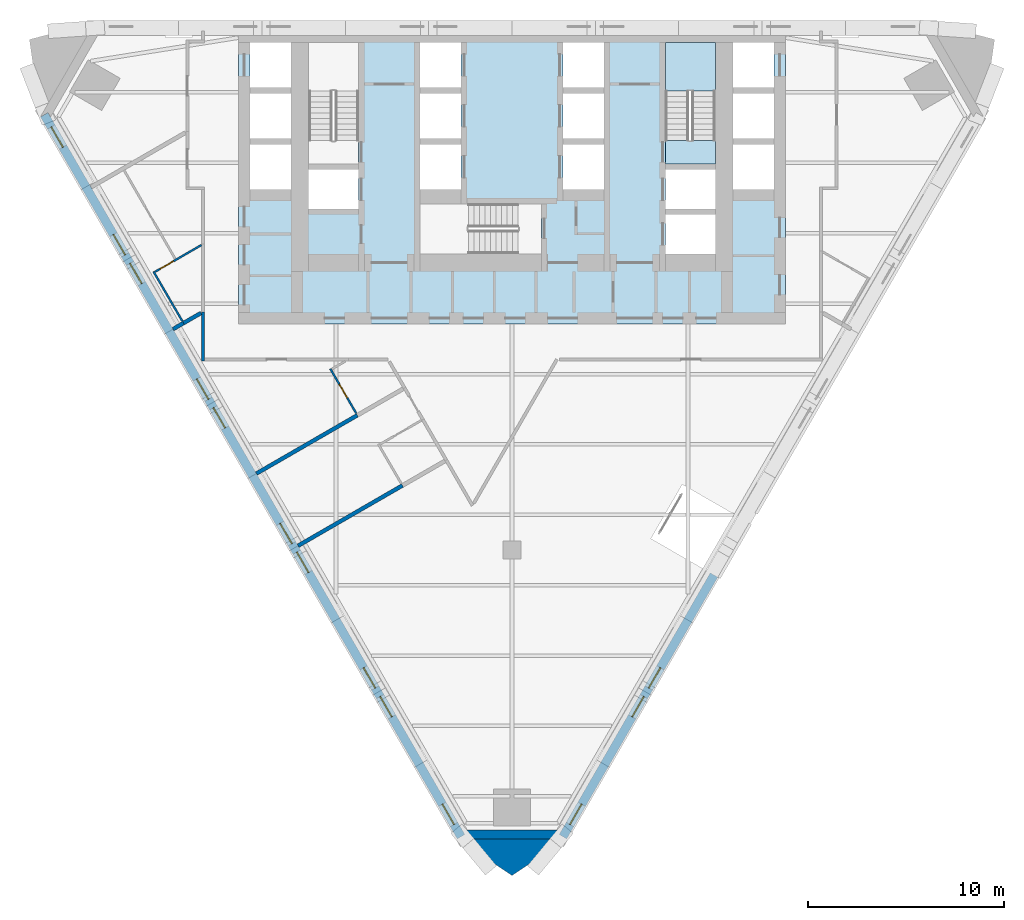
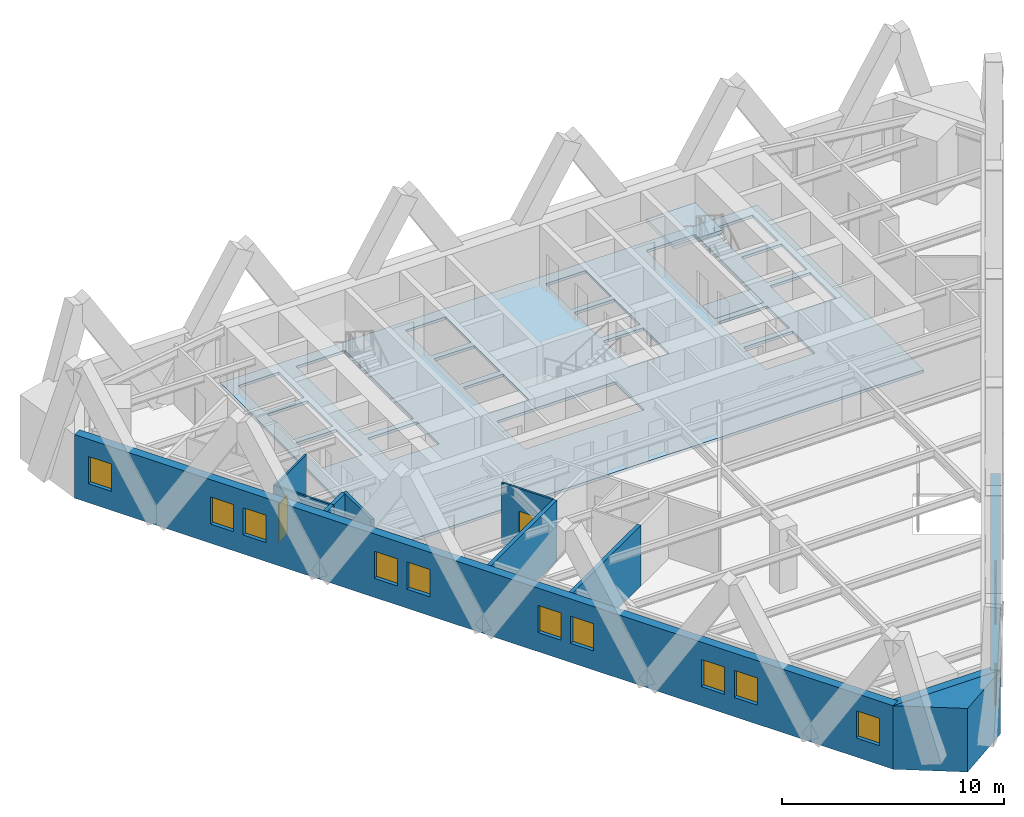
# One storey, part 4 of 10: 13 windows, 12 walls, 3 slabs, 2 doors, 15 openings, 1 element without a shape of its own.
"""IFC4 building model written with IfcOpenShell, lengths in metres."""

from ifc_helpers import new_model, si_unit, direction, frame, frame_2d, origin, place, context, subcontext, project, spatial, polyline, rectangle, outline, extrude, material, layer, layer_set, type_object, element, fill, aggregate, save


model = new_model("IFC4")

# Units and contexts
model_context = context("Model", 3, precision=1e-05, world=origin(), true_north=direction((0.0, 1.0)))
body_context = subcontext(model_context, "Body", "Model", "MODEL_VIEW")
ifc_project = project(units=[si_unit("LENGTHUNIT", "METRE"), si_unit("AREAUNIT", "SQUARE_METRE"), si_unit("VOLUMEUNIT", "CUBIC_METRE"), si_unit("PLANEANGLEUNIT", "RADIAN"), si_unit("MASSUNIT", "GRAM", prefix="KILO")], contexts=[model_context])

# Site, building, storey
site_placement = place(None, origin())
site = spatial("IfcSite", under=ifc_project, at=site_placement, CompositionType="ELEMENT")
building_placement = place(site_placement, origin())
building = spatial("IfcBuilding", under=site, at=building_placement, Name="Aloe Facet Convention Tower", CompositionType="ELEMENT")
storey_placement = place(building_placement, frame((0.0, 0.0, 116.800048828125)))
storey = spatial("IfcBuildingStorey", under=building, at=storey_placement, Name="L29", CompositionType="ELEMENT", Elevation=116.800048828125)

# Slabs
ifc_material_1 = material(Name="Concrete C70/85", Category="concrete")
ifc_layer_1 = layer(ifc_material_1, 0.14990234375)
ifc_layer_set_1 = layer_set([ifc_layer_1], Name="CR-S-FLOOR150-C7085")
slab_type_1 = type_object("IfcSlabType", Name="CR-S-FLOOR150-C7085", PredefinedType="FLOOR", material=ifc_layer_set_1)
slab_1_placement = place(storey_placement, frame((0.0, 0.0, -0.150146484375)))
element("IfcSlab", 1, at=slab_1_placement, inside=storey, type_object=slab_type_1, Name="Core floor L29", PredefinedType="FLOOR", context=body_context, shape_type="SweptSolid", body=[
    extrude(outline(polyline([(69.300048828125, 134.550048828125), (71.85009765625, 134.550048828125), (72.75, 134.550048828125), (74.699951171875, 134.550048828125), (75.60009765625, 134.550048828125), (77.10009765625, 134.550048828125), (78.0, 134.550048828125), (82.0, 134.550048828125), (82.89990234375, 134.550048828125), (84.39990234375, 134.550048828125), (85.300048828125, 134.550048828125), (87.25, 134.550048828125), (88.14990234375, 134.550048828125), (90.699951171875, 134.550048828125), (91.0, 134.550048828125), (94.0, 134.550048828125), (94.0, 131.949951171875), (94.0, 131.050048828125), (94.0, 129.35009765625), (94.0, 128.449951171875), (94.0, 126.449951171875), (94.0, 125.85009765625), (94.0, 123.57373046875), (94.0, 122.523681640625), (94.0, 119.550048828125), (91.300048828125, 119.550048828125), (90.699951171875, 119.550048828125), (89.60009765625, 119.550048828125), (88.550048828125, 119.550048828125), (87.89990234375, 119.550048828125), (86.85009765625, 119.550048828125), (85.699951171875, 119.550048828125), (84.64990234375, 119.550048828125), (83.699951171875, 119.550048828125), (82.64990234375, 119.550048828125), (81.75, 119.550048828125), (80.699951171875, 119.550048828125), (79.61669921875, 119.550048828125), (78.566650390625, 119.550048828125), (77.4833984375, 119.550048828125), (76.433349609375, 119.550048828125), (75.35009765625, 119.550048828125), (74.300048828125, 119.550048828125), (73.14990234375, 119.550048828125), (72.10009765625, 119.550048828125), (69.300048828125, 119.550048828125), (68.699951171875, 119.550048828125), (66.0, 119.550048828125), (66.0, 121.5), (66.0, 122.550048828125), (66.0, 123.639404296875), (66.0, 124.689453125), (66.0, 125.85009765625), (66.0, 126.449951171875), (66.0, 128.449951171875), (66.0, 129.35009765625), (66.0, 131.050048828125), (66.0, 131.949951171875), (66.0, 134.550048828125), (69.0, 134.550048828125), (69.300048828125, 134.550048828125)]), holes=[polyline([(75.300048828125, 123.14990234375), (80.298828125, 123.14990234375), (81.5, 123.14990234375), (81.5, 125.699951171875), (80.298828125, 125.699951171875), (75.300048828125, 125.699951171875), (75.300048828125, 123.14990234375)]), polyline([(69.60009765625, 125.449951171875), (72.14990234375, 125.449951171875), (72.14990234375, 127.449951171875), (69.60009765625, 127.449951171875), (69.60009765625, 125.449951171875)]), polyline([(66.60009765625, 126.449951171875), (68.699951171875, 126.449951171875), (68.699951171875, 128.75), (66.60009765625, 128.75), (66.60009765625, 126.449951171875)]), polyline([(75.300048828125, 126.449951171875), (77.39990234375, 126.449951171875), (77.39990234375, 128.75), (75.300048828125, 128.75), (75.300048828125, 126.449951171875)]), polyline([(66.60009765625, 129.050048828125), (68.699951171875, 129.050048828125), (68.699951171875, 131.35009765625), (66.60009765625, 131.35009765625), (66.60009765625, 129.050048828125)]), polyline([(75.300048828125, 129.050048828125), (77.39990234375, 129.050048828125), (77.39990234375, 131.35009765625), (75.300048828125, 131.35009765625), (75.300048828125, 129.050048828125)]), polyline([(69.60009765625, 133.949951171875), (69.60009765625, 128.951171875), (69.60009765625, 127.75), (72.14990234375, 127.75), (72.14990234375, 128.951171875), (72.14990234375, 133.949951171875), (69.60009765625, 133.949951171875)]), polyline([(66.60009765625, 133.949951171875), (66.60009765625, 131.64990234375), (68.699951171875, 131.64990234375), (68.699951171875, 133.949951171875), (66.60009765625, 133.949951171875)]), polyline([(75.300048828125, 133.949951171875), (75.300048828125, 131.64990234375), (77.39990234375, 131.64990234375), (77.39990234375, 133.949951171875), (75.300048828125, 133.949951171875)]), polyline([(87.85009765625, 123.14990234375), (90.39990234375, 123.14990234375), (90.39990234375, 125.14990234375), (87.85009765625, 125.14990234375), (87.85009765625, 123.14990234375)]), polyline([(87.85009765625, 125.449951171875), (90.39990234375, 125.449951171875), (90.39990234375, 127.449951171875), (87.85009765625, 127.449951171875), (87.85009765625, 125.449951171875)]), polyline([(82.60009765625, 126.449951171875), (84.699951171875, 126.449951171875), (84.699951171875, 128.75), (82.60009765625, 128.75), (82.60009765625, 126.449951171875)]), polyline([(91.300048828125, 126.449951171875), (93.39990234375, 126.449951171875), (93.39990234375, 128.75), (91.300048828125, 128.75), (91.300048828125, 126.449951171875)]), polyline([(82.60009765625, 129.050048828125), (84.699951171875, 129.050048828125), (84.699951171875, 131.35009765625), (82.60009765625, 131.35009765625), (82.60009765625, 129.050048828125)]), polyline([(91.300048828125, 129.050048828125), (93.39990234375, 129.050048828125), (93.39990234375, 131.35009765625), (91.300048828125, 131.35009765625), (91.300048828125, 129.050048828125)]), polyline([(87.85009765625, 133.949951171875), (87.85009765625, 128.951171875), (87.85009765625, 127.75), (90.39990234375, 127.75), (90.39990234375, 128.951171875), (90.39990234375, 133.949951171875), (87.85009765625, 133.949951171875)]), polyline([(82.60009765625, 133.949951171875), (82.60009765625, 131.64990234375), (84.699951171875, 131.64990234375), (84.699951171875, 133.949951171875), (82.60009765625, 133.949951171875)]), polyline([(91.300048828125, 133.949951171875), (91.300048828125, 131.64990234375), (93.39990234375, 131.64990234375), (93.39990234375, 133.949951171875), (91.300048828125, 133.949951171875)])]), origin(), (0.0, 0.0, 1.0), 0.150146484375),
])
ifc_material_2 = material(Name="Concrete C70/85", Category="concrete")
ifc_layer_2 = layer(ifc_material_2, 0.300048828125)
ifc_layer_set_2 = layer_set([ifc_layer_2], Name="CR-S-FLOOR300-C7085")
slab_type_2 = type_object("IfcSlabType", Name="CR-S-FLOOR300-C7085", PredefinedType="FLOOR", material=ifc_layer_set_2)
slab_2_placement = place(storey_placement, frame((0.0, 0.0, -0.300048828125)))
element("IfcSlab", 2, at=slab_2_placement, inside=storey, type_object=slab_type_2, Name="Stair landing floor L29", PredefinedType="FLOOR", context=body_context, shape_type="SweptSolid", body=[
    extrude(outline(polyline([(90.39990234375, 127.75), (90.39990234375, 128.951171875), (87.85009765625, 128.951171875), (87.85009765625, 127.75), (90.39990234375, 127.75)])), origin(), (0.0, 0.0, 1.0), 0.300048828125),
])

# Stair, slab
ifc_material_3 = material(Name="Concrete C50/60", Category="concrete")
stair_type = type_object("IfcStairType", Name="CR-ST-20R", PredefinedType="HALF_TURN_STAIR", material=ifc_material_3)
stair_placement = place(storey_placement, origin())
stair = element("IfcStair", 3, at=stair_placement, inside=storey, type_object=stair_type, Name="L29 Protected exit stair ST2", PredefinedType="HALF_TURN_STAIR")
ifc_material_4 = material(Name="Concrete C50/60", Category="concrete")
ifc_layer_3 = layer(ifc_material_4, 0.199951171875)
ifc_layer_set_3 = layer_set([ifc_layer_3], Name="CR-SL-LANDING")
slab_type_3 = type_object("IfcSlabType", Name="CR-SL-LANDING", PredefinedType="LANDING", material=ifc_layer_set_3)
slab_3_placement = place(storey_placement, frame((0.0, 0.0, 1.550048828125)))
slab_3 = element("IfcSlab", 4, at=slab_3_placement, type_object=slab_type_3, Name="ST2 landing 1", PredefinedType="LANDING", context=body_context, shape_type="SweptSolid", body=[
    extrude(outline(polyline([(90.39990234375, 131.469970703125), (90.39990234375, 133.949951171875), (87.85009765625, 133.949951171875), (87.85009765625, 131.469970703125), (90.39990234375, 131.469970703125)])), origin(), (0.0, 0.0, 1.0), 0.199951171875),
])
aggregate(stair, [slab_3])

# Walls
ifc_material_5 = material(Name="Precast concrete C40/50", Category="concrete")
ifc_layer_4 = layer(ifc_material_5, 0.449951171875)
ifc_layer_set_4 = layer_set([ifc_layer_4], Name="EV-WALL-PIER")
wall_type_1 = type_object("IfcWallType", Name="EV-WALL-PIER", PredefinedType="SOLIDWALL", material=ifc_layer_set_4)
wall_1_placement = place(storey_placement, frame((0.0, 0.0, -0.150146484375)))
element("IfcWall", 5, at=wall_1_placement, inside=storey, type_object=wall_type_1, Name="EP-L29-B", PredefinedType="SOLIDWALL", context=body_context, shape_type="SweptSolid", body=[
    extrude(outline(polyline([(77.199951171875, 93.22021484375), (77.589599609375, 93.4453125), (77.459716796875, 93.670166015625), (82.540283203125, 93.670166015625), (82.410400390625, 93.4453125), (82.800048828125, 93.22021484375), (77.199951171875, 93.22021484375)])), origin(), (0.0, 0.0, 1.0), 3.5),
])
ifc_material_6 = material(Name="Precast concrete C40/50", Category="concrete")
ifc_layer_5 = layer(ifc_material_6, 3.947998046875)
ifc_layer_set_5 = layer_set([ifc_layer_5], Name="EV-WALL-SPINE")
wall_type_2 = type_object("IfcWallType", Name="EV-WALL-SPINE", PredefinedType="SOLIDWALL", material=ifc_layer_set_5)
wall_2_placement = place(storey_placement, frame((0.0, 0.0, -0.150146484375)))
element("IfcWall", 6, at=wall_2_placement, inside=storey, type_object=wall_type_2, Name="SP-S-L29", PredefinedType="SOLIDWALL", context=body_context, shape_type="SweptSolid", body=[
    extrude(outline(polyline([(77.199951171875, 93.22021484375), (80.0, 91.352294921875), (82.800048828125, 93.22021484375), (77.199951171875, 93.22021484375)])), origin(), (0.0, 0.0, 1.0), 3.5),
])

# Wall, openings, windows
ifc_material_7 = material(Name="Precast concrete C40/50", Category="concrete")
ifc_layer_6 = layer(ifc_material_7, 0.449951171875)
ifc_layer_set_6 = layer_set([ifc_layer_6], Name="EV-WALL-STONE")
wall_type_3 = type_object("IfcWallType", Name="EV-WALL-STONE", PredefinedType="SOLIDWALL", material=ifc_layer_set_6)
wall_3_placement = place(storey_placement, frame((56.0732421875, 130.2626953125, -0.150146484375), z_axis=(0.0, 0.0, 1.0), x_axis=(0.500000478905, -0.866025127289, 0.0)))
wall_3 = element("IfcWall", 7, at=wall_3_placement, inside=storey, type_object=wall_type_3, Name="EW-L29-W01", PredefinedType="SOLIDWALL", context=body_context, shape_type="SweptSolid", body=[
    extrude(outline(polyline([(42.64306640625, 0.0), (42.64306640625, 3.5), (0.0, 3.5), (0.0, 0.0), (42.64306640625, 0.0)])), frame((0.0, 0.22509765625, 0.0), z_axis=(0.0, -1.0, 0.0), x_axis=(1.0, 0.0, 0.0)), (0.0, 0.0, 1.0), 0.449951171875),
])
opening_1_placement = place(wall_3_placement, frame((0.720458984375, 0.0, 1.050048828125)))
opening_1 = element("IfcOpeningElement", 8, at=opening_1_placement, cuts=wall_3, Name="Opening W-L29-W01", PredefinedType="OPENING", context=body_context, shape_type="SweptSolid", body=[
    extrude(rectangle(XDim=1.199951171875, YDim=1.5, at=frame_2d((0.60009765625, 0.75))), frame((0.0, 0.23486328125, 0.0), z_axis=(0.0, -1.0, 0.0), x_axis=(1.0, 0.0, 0.0)), (0.0, 0.0, 1.0), 0.469970703125),
])
opening_2_placement = place(wall_3_placement, frame((7.07861328125, 0.0, 1.050048828125)))
opening_2 = element("IfcOpeningElement", 9, at=opening_2_placement, cuts=wall_3, Name="Opening W-L29-W02", PredefinedType="OPENING", context=body_context, shape_type="SweptSolid", body=[
    extrude(rectangle(XDim=1.199951171875, YDim=1.5, at=frame_2d((0.60009765625, 0.75))), frame((0.0, 0.23486328125, 0.0), z_axis=(0.0, -1.0, 0.0), x_axis=(1.0, 0.0, 0.0)), (0.0, 0.0, 1.0), 0.469970703125),
])
opening_3_placement = place(wall_3_placement, frame((8.778564453125, 0.0, 1.050048828125)))
opening_3 = element("IfcOpeningElement", 10, at=opening_3_placement, cuts=wall_3, Name="Opening W-L29-W03", PredefinedType="OPENING", context=body_context, shape_type="SweptSolid", body=[
    extrude(rectangle(XDim=1.199951171875, YDim=1.5, at=frame_2d((0.60009765625, 0.75))), frame((0.0, 0.23486328125, 0.0), z_axis=(0.0, -1.0, 0.0), x_axis=(1.0, 0.0, 0.0)), (0.0, 0.0, 1.0), 0.469970703125),
])
opening_4_placement = place(wall_3_placement, frame((15.607177734375, 0.0, 1.050048828125)))
opening_4 = element("IfcOpeningElement", 11, at=opening_4_placement, cuts=wall_3, Name="Opening W-L29-W04", PredefinedType="OPENING", context=body_context, shape_type="SweptSolid", body=[
    extrude(rectangle(XDim=1.199951171875, YDim=1.5, at=frame_2d((0.60009765625, 0.75))), frame((0.0, 0.23486328125, 0.0), z_axis=(0.0, -1.0, 0.0), x_axis=(1.0, 0.0, 0.0)), (0.0, 0.0, 1.0), 0.469970703125),
])
opening_5_placement = place(wall_3_placement, frame((17.30712890625, 0.0, 1.050048828125)))
opening_5 = element("IfcOpeningElement", 12, at=opening_5_placement, cuts=wall_3, Name="Opening W-L29-W05", PredefinedType="OPENING", context=body_context, shape_type="SweptSolid", body=[
    extrude(rectangle(XDim=1.199951171875, YDim=1.5, at=frame_2d((0.60009765625, 0.75))), frame((0.0, 0.23486328125, 0.0), z_axis=(0.0, -1.0, 0.0), x_axis=(1.0, 0.0, 0.0)), (0.0, 0.0, 1.0), 0.469970703125),
])
opening_6_placement = place(wall_3_placement, frame((24.1357421875, 0.0, 1.050048828125)))
opening_6 = element("IfcOpeningElement", 13, at=opening_6_placement, cuts=wall_3, Name="Opening W-L29-W06", PredefinedType="OPENING", context=body_context, shape_type="SweptSolid", body=[
    extrude(rectangle(XDim=1.199951171875, YDim=1.5, at=frame_2d((0.60009765625, 0.75))), frame((0.0, 0.23486328125, 0.0), z_axis=(0.0, -1.0, 0.0), x_axis=(1.0, 0.0, 0.0)), (0.0, 0.0, 1.0), 0.469970703125),
])
opening_7_placement = place(wall_3_placement, frame((25.8359375, 0.0, 1.050048828125)))
opening_7 = element("IfcOpeningElement", 14, at=opening_7_placement, cuts=wall_3, Name="Opening W-L29-W07", PredefinedType="OPENING", context=body_context, shape_type="SweptSolid", body=[
    extrude(rectangle(XDim=1.199951171875, YDim=1.5, at=frame_2d((0.60009765625, 0.75))), frame((0.0, 0.23486328125, 0.0), z_axis=(0.0, -1.0, 0.0), x_axis=(1.0, 0.0, 0.0)), (0.0, 0.0, 1.0), 0.469970703125),
])
opening_8_placement = place(wall_3_placement, frame((32.66455078125, 0.0, 1.050048828125)))
opening_8 = element("IfcOpeningElement", 15, at=opening_8_placement, cuts=wall_3, Name="Opening W-L29-W08", PredefinedType="OPENING", context=body_context, shape_type="SweptSolid", body=[
    extrude(rectangle(XDim=1.199951171875, YDim=1.5, at=frame_2d((0.60009765625, 0.75))), frame((0.0, 0.23486328125, 0.0), z_axis=(0.0, -1.0, 0.0), x_axis=(1.0, 0.0, 0.0)), (0.0, 0.0, 1.0), 0.469970703125),
])
opening_9_placement = place(wall_3_placement, frame((34.364501953125, 0.0, 1.050048828125)))
opening_9 = element("IfcOpeningElement", 16, at=opening_9_placement, cuts=wall_3, Name="Opening W-L29-W09", PredefinedType="OPENING", context=body_context, shape_type="SweptSolid", body=[
    extrude(rectangle(XDim=1.199951171875, YDim=1.5, at=frame_2d((0.60009765625, 0.75))), frame((0.0, 0.23486328125, 0.0), z_axis=(0.0, -1.0, 0.0), x_axis=(1.0, 0.0, 0.0)), (0.0, 0.0, 1.0), 0.469970703125),
])
opening_10_placement = place(wall_3_placement, frame((40.722412109375, 0.0, 1.050048828125)))
opening_10 = element("IfcOpeningElement", 17, at=opening_10_placement, cuts=wall_3, Name="Opening W-L29-W10", PredefinedType="OPENING", context=body_context, shape_type="SweptSolid", body=[
    extrude(rectangle(XDim=1.199951171875, YDim=1.5, at=frame_2d((0.60009765625, 0.75))), frame((0.0, 0.23486328125, 0.0), z_axis=(0.0, -1.0, 0.0), x_axis=(1.0, 0.0, 0.0)), (0.0, 0.0, 1.0), 0.469970703125),
])
ifc_material_8 = material(Name="Aluminium frame, clear double glazing", Category="aluminium")
window_type = type_object("IfcWindowType", Name="EV-WIN-H12", PartitioningType="SINGLE_PANEL", PredefinedType="WINDOW", material=ifc_material_8)
window_1_placement = place(opening_1_placement, origin())
window_1 = element("IfcWindow", 18, at=window_1_placement, inside=storey, type_object=window_type, Name="W-L29-W01", OverallHeight=1.5, OverallWidth=1.199951171875, PartitioningType="SINGLE_PANEL", PredefinedType="WINDOW", context=body_context, shape_type="SweptSolid", body=[
    extrude(rectangle(XDim=1.199951171875, YDim=1.5, at=frame_2d((0.60009765625, 0.75))), frame((0.0, 0.030029296875, 0.0), z_axis=(0.0, -1.0, 0.0), x_axis=(1.0, 0.0, 0.0)), (0.0, 0.0, 1.0), 0.06005859375),
])
fill(opening_1, window_1)
window_2_placement = place(opening_2_placement, origin())
window_2 = element("IfcWindow", 19, at=window_2_placement, inside=storey, type_object=window_type, Name="W-L29-W02", OverallHeight=1.5, OverallWidth=1.199951171875, PartitioningType="SINGLE_PANEL", PredefinedType="WINDOW", context=body_context, shape_type="SweptSolid", body=[
    extrude(rectangle(XDim=1.199951171875, YDim=1.5, at=frame_2d((0.60009765625, 0.75))), frame((0.0, 0.030029296875, 0.0), z_axis=(0.0, -1.0, 0.0), x_axis=(1.0, 0.0, 0.0)), (0.0, 0.0, 1.0), 0.06005859375),
])
fill(opening_2, window_2)
window_3_placement = place(opening_3_placement, origin())
window_3 = element("IfcWindow", 20, at=window_3_placement, inside=storey, type_object=window_type, Name="W-L29-W03", OverallHeight=1.5, OverallWidth=1.199951171875, PartitioningType="SINGLE_PANEL", PredefinedType="WINDOW", context=body_context, shape_type="SweptSolid", body=[
    extrude(rectangle(XDim=1.199951171875, YDim=1.5, at=frame_2d((0.60009765625, 0.75))), frame((0.0, 0.030029296875, 0.0), z_axis=(0.0, -1.0, 0.0), x_axis=(1.0, 0.0, 0.0)), (0.0, 0.0, 1.0), 0.06005859375),
])
fill(opening_3, window_3)
window_4_placement = place(opening_4_placement, origin())
window_4 = element("IfcWindow", 21, at=window_4_placement, inside=storey, type_object=window_type, Name="W-L29-W04", OverallHeight=1.5, OverallWidth=1.199951171875, PartitioningType="SINGLE_PANEL", PredefinedType="WINDOW", context=body_context, shape_type="SweptSolid", body=[
    extrude(rectangle(XDim=1.199951171875, YDim=1.5, at=frame_2d((0.60009765625, 0.75))), frame((0.0, 0.030029296875, 0.0), z_axis=(0.0, -1.0, 0.0), x_axis=(1.0, 0.0, 0.0)), (0.0, 0.0, 1.0), 0.06005859375),
])
fill(opening_4, window_4)
window_5_placement = place(opening_5_placement, origin())
window_5 = element("IfcWindow", 22, at=window_5_placement, inside=storey, type_object=window_type, Name="W-L29-W05", OverallHeight=1.5, OverallWidth=1.199951171875, PartitioningType="SINGLE_PANEL", PredefinedType="WINDOW", context=body_context, shape_type="SweptSolid", body=[
    extrude(rectangle(XDim=1.199951171875, YDim=1.5, at=frame_2d((0.60009765625, 0.75))), frame((0.0, 0.030029296875, 0.0), z_axis=(0.0, -1.0, 0.0), x_axis=(1.0, 0.0, 0.0)), (0.0, 0.0, 1.0), 0.06005859375),
])
fill(opening_5, window_5)
window_6_placement = place(opening_6_placement, origin())
window_6 = element("IfcWindow", 23, at=window_6_placement, inside=storey, type_object=window_type, Name="W-L29-W06", OverallHeight=1.5, OverallWidth=1.199951171875, PartitioningType="SINGLE_PANEL", PredefinedType="WINDOW", context=body_context, shape_type="SweptSolid", body=[
    extrude(rectangle(XDim=1.199951171875, YDim=1.5, at=frame_2d((0.60009765625, 0.75))), frame((0.0, 0.030029296875, 0.0), z_axis=(0.0, -1.0, 0.0), x_axis=(1.0, 0.0, 0.0)), (0.0, 0.0, 1.0), 0.06005859375),
])
fill(opening_6, window_6)
window_7_placement = place(opening_7_placement, origin())
window_7 = element("IfcWindow", 24, at=window_7_placement, inside=storey, type_object=window_type, Name="W-L29-W07", OverallHeight=1.5, OverallWidth=1.199951171875, PartitioningType="SINGLE_PANEL", PredefinedType="WINDOW", context=body_context, shape_type="SweptSolid", body=[
    extrude(rectangle(XDim=1.199951171875, YDim=1.5, at=frame_2d((0.60009765625, 0.75))), frame((0.0, 0.030029296875, 0.0), z_axis=(0.0, -1.0, 0.0), x_axis=(1.0, 0.0, 0.0)), (0.0, 0.0, 1.0), 0.06005859375),
])
fill(opening_7, window_7)
window_8_placement = place(opening_8_placement, origin())
window_8 = element("IfcWindow", 25, at=window_8_placement, inside=storey, type_object=window_type, Name="W-L29-W08", OverallHeight=1.5, OverallWidth=1.199951171875, PartitioningType="SINGLE_PANEL", PredefinedType="WINDOW", context=body_context, shape_type="SweptSolid", body=[
    extrude(rectangle(XDim=1.199951171875, YDim=1.5, at=frame_2d((0.60009765625, 0.75))), frame((0.0, 0.030029296875, 0.0), z_axis=(0.0, -1.0, 0.0), x_axis=(1.0, 0.0, 0.0)), (0.0, 0.0, 1.0), 0.06005859375),
])
fill(opening_8, window_8)
window_9_placement = place(opening_9_placement, origin())
window_9 = element("IfcWindow", 26, at=window_9_placement, inside=storey, type_object=window_type, Name="W-L29-W09", OverallHeight=1.5, OverallWidth=1.199951171875, PartitioningType="SINGLE_PANEL", PredefinedType="WINDOW", context=body_context, shape_type="SweptSolid", body=[
    extrude(rectangle(XDim=1.199951171875, YDim=1.5, at=frame_2d((0.60009765625, 0.75))), frame((0.0, 0.030029296875, 0.0), z_axis=(0.0, -1.0, 0.0), x_axis=(1.0, 0.0, 0.0)), (0.0, 0.0, 1.0), 0.06005859375),
])
fill(opening_9, window_9)
window_10_placement = place(opening_10_placement, origin())
window_10 = element("IfcWindow", 27, at=window_10_placement, inside=storey, type_object=window_type, Name="W-L29-W10", OverallHeight=1.5, OverallWidth=1.199951171875, PartitioningType="SINGLE_PANEL", PredefinedType="WINDOW", context=body_context, shape_type="SweptSolid", body=[
    extrude(rectangle(XDim=1.199951171875, YDim=1.5, at=frame_2d((0.60009765625, 0.75))), frame((0.0, 0.030029296875, 0.0), z_axis=(0.0, -1.0, 0.0), x_axis=(1.0, 0.0, 0.0)), (0.0, 0.0, 1.0), 0.06005859375),
])
fill(opening_10, window_10)

wall_4_placement = place(storey_placement, frame((82.605224609375, 93.332763671875, -0.150146484375), z_axis=(0.0, 0.0, 1.0), x_axis=(0.499991795389, 0.866030140667, 0.0)))
wall_4 = element("IfcWall", 28, at=wall_4_placement, inside=storey, type_object=wall_type_3, Name="EW-L29-E01", PredefinedType="SOLIDWALL", context=body_context, shape_type="SweptSolid", body=[
    extrude(outline(polyline([(0.0, 0.0), (0.0, 3.5), (15.457275390625, 3.5), (15.457275390625, 0.0), (0.0, 0.0)])), frame((0.0, 0.22509765625, 0.0), z_axis=(0.0, -1.0, 0.0), x_axis=(1.0, 0.0, 0.0)), (0.0, 0.0, 1.0), 0.449951171875),
])
opening_11_placement = place(wall_4_placement, frame((0.720458984375, 0.0, 1.050048828125)))
opening_11 = element("IfcOpeningElement", 29, at=opening_11_placement, cuts=wall_4, Name="Opening W-L29-E01", PredefinedType="OPENING", context=body_context, shape_type="SweptSolid", body=[
    extrude(rectangle(XDim=1.199951171875, YDim=1.5, at=frame_2d((0.60009765625, 0.75))), frame((0.0, 0.23486328125, 0.0), z_axis=(0.0, -1.0, 0.0), x_axis=(1.0, 0.0, 0.0)), (0.0, 0.0, 1.0), 0.469970703125),
])
opening_12_placement = place(wall_4_placement, frame((7.07861328125, 0.0, 1.050048828125)))
opening_12 = element("IfcOpeningElement", 30, at=opening_12_placement, cuts=wall_4, Name="Opening W-L29-E02", PredefinedType="OPENING", context=body_context, shape_type="SweptSolid", body=[
    extrude(rectangle(XDim=1.199951171875, YDim=1.5, at=frame_2d((0.60009765625, 0.75))), frame((0.0, 0.23486328125, 0.0), z_axis=(0.0, -1.0, 0.0), x_axis=(1.0, 0.0, 0.0)), (0.0, 0.0, 1.0), 0.469970703125),
])
opening_13_placement = place(wall_4_placement, frame((8.778564453125, 0.0, 1.050048828125)))
opening_13 = element("IfcOpeningElement", 31, at=opening_13_placement, cuts=wall_4, Name="Opening W-L29-E03", PredefinedType="OPENING", context=body_context, shape_type="SweptSolid", body=[
    extrude(rectangle(XDim=1.199951171875, YDim=1.5, at=frame_2d((0.60009765625, 0.75))), frame((0.0, 0.23486328125, 0.0), z_axis=(0.0, -1.0, 0.0), x_axis=(1.0, 0.0, 0.0)), (0.0, 0.0, 1.0), 0.469970703125),
])
window_11_placement = place(opening_11_placement, origin())
window_11 = element("IfcWindow", 32, at=window_11_placement, inside=storey, type_object=window_type, Name="W-L29-E01", OverallHeight=1.5, OverallWidth=1.199951171875, PartitioningType="SINGLE_PANEL", PredefinedType="WINDOW", context=body_context, shape_type="SweptSolid", body=[
    extrude(rectangle(XDim=1.199951171875, YDim=1.5, at=frame_2d((0.60009765625, 0.75))), frame((0.0, 0.030029296875, 0.0), z_axis=(0.0, -1.0, 0.0), x_axis=(1.0, 0.0, 0.0)), (0.0, 0.0, 1.0), 0.06005859375),
])
fill(opening_11, window_11)
window_12_placement = place(opening_12_placement, origin())
window_12 = element("IfcWindow", 33, at=window_12_placement, inside=storey, type_object=window_type, Name="W-L29-E02", OverallHeight=1.5, OverallWidth=1.199951171875, PartitioningType="SINGLE_PANEL", PredefinedType="WINDOW", context=body_context, shape_type="SweptSolid", body=[
    extrude(rectangle(XDim=1.199951171875, YDim=1.5, at=frame_2d((0.60009765625, 0.75))), frame((0.0, 0.030029296875, 0.0), z_axis=(0.0, -1.0, 0.0), x_axis=(1.0, 0.0, 0.0)), (0.0, 0.0, 1.0), 0.06005859375),
])
fill(opening_12, window_12)
window_13_placement = place(opening_13_placement, origin())
window_13 = element("IfcWindow", 34, at=window_13_placement, inside=storey, type_object=window_type, Name="W-L29-E03", OverallHeight=1.5, OverallWidth=1.199951171875, PartitioningType="SINGLE_PANEL", PredefinedType="WINDOW", context=body_context, shape_type="SweptSolid", body=[
    extrude(rectangle(XDim=1.199951171875, YDim=1.5, at=frame_2d((0.60009765625, 0.75))), frame((0.0, 0.030029296875, 0.0), z_axis=(0.0, -1.0, 0.0), x_axis=(1.0, 0.0, 0.0)), (0.0, 0.0, 1.0), 0.06005859375),
])
fill(opening_13, window_13)

# Wall
ifc_material_9 = material(Name="Gypsum board partition on steel studs", Category="steel")
ifc_layer_7 = layer(ifc_material_9, 0.14990234375)
ifc_layer_set_7 = layer_set([ifc_layer_7], Name="IN-W-CORR")
wall_type_4 = type_object("IfcWallType", Name="IN-W-CORR", PredefinedType="PARTITIONING", material=ifc_layer_set_7)
wall_5_placement = place(storey_placement, frame((64.199951171875, 117.675048828125, 0.0), z_axis=(0.0, 0.0, 1.0), x_axis=(0.0, 1.0, 0.0)))
element("IfcWall", 35, at=wall_5_placement, inside=storey, type_object=wall_type_4, Name="Partition L29-W012", PredefinedType="PARTITIONING", context=body_context, shape_type="SweptSolid", body=[
    extrude(rectangle(XDim=2.507568359375, YDim=0.14990234375, at=frame_2d((1.25390625, 0.0))), origin(), (0.0, 0.0, 1.0), 3.349853515625),
])

# Wall, opening, door
ifc_material_10 = material(Name="Gypsum board partition on steel studs", Category="steel")
ifc_layer_8 = layer(ifc_material_10, 0.10009765625)
ifc_layer_set_8 = layer_set([ifc_layer_8], Name="IN-W-PART")
wall_type_5 = type_object("IfcWallType", Name="IN-W-PART", PredefinedType="PARTITIONING", material=ifc_layer_set_8)
wall_6_placement = place(storey_placement, frame((70.70654296875, 117.266845703125, 0.0), z_axis=(0.0, 0.0, 1.0), x_axis=(0.503232687374, -0.864150948827, 0.0)))
wall_6 = element("IfcWall", 36, at=wall_6_placement, inside=storey, type_object=wall_type_5, Name="Partition L29-W009", PredefinedType="PARTITIONING", context=body_context, shape_type="SweptSolid", body=[
    extrude(rectangle(XDim=2.64013671875, YDim=0.10009765625, at=frame_2d((1.320068359375, 0.0))), origin(), (0.0, 0.0, 1.0), 3.349853515625),
])
opening_14_placement = place(wall_6_placement, frame((0.919921875, 0.0, 0.0)))
opening_14 = element("IfcOpeningElement", 37, at=opening_14_placement, cuts=wall_6, Name="Opening L29-009", PredefinedType="OPENING", context=body_context, shape_type="SweptSolid", body=[
    extrude(rectangle(XDim=0.800048828125, YDim=2.10009765625, at=frame_2d((0.39990234375, 1.050048828125))), frame((0.0, 0.06005859375, 0.0), z_axis=(0.0, -1.0, 0.0), x_axis=(1.0, 0.0, 0.0)), (0.0, 0.0, 1.0), 0.1201171875),
])
ifc_material_11 = material(Name="Timber flush door", Category="wood")
door_type = type_object("IfcDoorType", Name="IN-D-BATH", OperationType="SINGLE_SWING_LEFT", PredefinedType="DOOR", material=ifc_material_11)
door_1_placement = place(opening_14_placement, origin())
door_1 = element("IfcDoor", 38, at=door_1_placement, inside=storey, type_object=door_type, Name="Door L29-009", OperationType="SINGLE_SWING_LEFT", OverallHeight=2.10009765625, OverallWidth=0.800048828125, PredefinedType="DOOR", context=body_context, shape_type="SweptSolid", body=[
    extrude(rectangle(XDim=0.800048828125, YDim=2.10009765625, at=frame_2d((0.39990234375, 1.050048828125))), frame((0.0, 0.02490234375, 0.0), z_axis=(0.0, -1.0, 0.0), x_axis=(1.0, 0.0, 0.0)), (0.0, 0.0, 1.0), 0.050048828125),
])
fill(opening_14, door_1)

# Wall
wall_7_placement = place(storey_placement, frame((61.663330078125, 122.239990234375, 0.0), z_axis=(0.0, 0.0, 1.0), x_axis=(0.502884554521, -0.864353587847, 0.0)))
element("IfcWall", 39, at=wall_7_placement, inside=storey, type_object=wall_type_5, Name="Partition L29-W021", PredefinedType="PARTITIONING", context=body_context, shape_type="SweptSolid", body=[
    extrude(rectangle(XDim=2.940185546875, YDim=0.10009765625, at=frame_2d((1.47021484375, 0.0))), origin(), (0.0, 0.0, 1.0), 3.349853515625),
])

# Wall, opening, door
wall_8_placement = place(storey_placement, frame((61.740478515625, 122.226806640625, 0.0), z_axis=(0.0, 0.0, 1.0), x_axis=(0.866012292785, 0.50002270823, 0.0)))
wall_8 = element("IfcWall", 40, at=wall_8_placement, inside=storey, type_object=wall_type_5, Name="Partition L29-W026", PredefinedType="PARTITIONING", context=body_context, shape_type="SweptSolid", body=[
    extrude(rectangle(XDim=2.744873046875, YDim=0.10009765625, at=frame_2d((1.37255859375, 0.0))), origin(), (0.0, 0.0, 1.0), 3.349853515625),
])
opening_15_placement = place(wall_8_placement, frame((0.300048828125, 0.0, 0.0)))
opening_15 = element("IfcOpeningElement", 41, at=opening_15_placement, cuts=wall_8, Name="Opening L29-007", PredefinedType="OPENING", context=body_context, shape_type="SweptSolid", body=[
    extrude(rectangle(XDim=0.800048828125, YDim=2.10009765625, at=frame_2d((0.39990234375, 1.050048828125))), frame((0.0, 0.06005859375, 0.0), z_axis=(0.0, -1.0, 0.0), x_axis=(1.0, 0.0, 0.0)), (0.0, 0.0, 1.0), 0.1201171875),
])
door_2_placement = place(opening_15_placement, origin())
door_2 = element("IfcDoor", 42, at=door_2_placement, inside=storey, type_object=door_type, Name="Door L29-007", OperationType="SINGLE_SWING_LEFT", OverallHeight=2.10009765625, OverallWidth=0.800048828125, PredefinedType="DOOR", context=body_context, shape_type="SweptSolid", body=[
    extrude(rectangle(XDim=0.800048828125, YDim=2.10009765625, at=frame_2d((0.39990234375, 1.050048828125))), frame((0.0, 0.02490234375, 0.0), z_axis=(0.0, -1.0, 0.0), x_axis=(1.0, 0.0, 0.0)), (0.0, 0.0, 1.0), 0.050048828125),
])
fill(opening_15, door_2)

# Walls
ifc_material_12 = material(Name="Gypsum board partition on steel studs", Category="steel")
ifc_layer_9 = layer(ifc_material_12, 0.199951171875)
ifc_layer_set_9 = layer_set([ifc_layer_9], Name="IN-W-PARTY")
wall_type_6 = type_object("IfcWallType", Name="IN-W-PARTY", PredefinedType="PARTITIONING", material=ifc_layer_set_9)
wall_9_placement = place(storey_placement, frame((69.06103515625, 108.21728515625, 0.0), z_axis=(0.0, 0.0, 1.0), x_axis=(0.866019924591, 0.500009490121, 0.0)))
element("IfcWall", 43, at=wall_9_placement, inside=storey, type_object=wall_type_6, Name="Partition L29-W001", PredefinedType="PARTITIONING", context=body_context, shape_type="SweptSolid", body=[
    extrude(rectangle(XDim=6.16015625, YDim=0.199951171875, at=frame_2d((3.080078125, 0.0))), origin(), (0.0, 0.0, 1.0), 3.349853515625),
])
wall_10_placement = place(storey_placement, frame((66.928955078125, 111.91015625, 0.0), z_axis=(0.0, 0.0, 1.0), x_axis=(0.866003444533, 0.50003803261, 0.0)))
element("IfcWall", 44, at=wall_10_placement, inside=storey, type_object=wall_type_6, Name="Partition L29-W004", PredefinedType="PARTITIONING", context=body_context, shape_type="SweptSolid", body=[
    extrude(rectangle(XDim=5.9599609375, YDim=0.199951171875, at=frame_2d((2.97998046875, 0.0))), origin(), (0.0, 0.0, 1.0), 3.349853515625),
])
wall_11_placement = place(storey_placement, frame((62.66455078125, 119.296142578125, 0.0), z_axis=(0.0, 0.0, 1.0), x_axis=(0.865987299264, 0.500065993159, 0.0)))
element("IfcWall", 45, at=wall_11_placement, inside=storey, type_object=wall_type_6, Name="Partition L29-W018", PredefinedType="PARTITIONING", context=body_context, shape_type="SweptSolid", body=[
    extrude(rectangle(XDim=0.615234375, YDim=0.199951171875, at=frame_2d((0.3076171875, 0.0))), origin(), (0.0, 0.0, 1.0), 3.349853515625),
])
wall_12_placement = place(storey_placement, frame((63.197265625, 119.603759765625, 0.0), z_axis=(0.0, 0.0, 1.0), x_axis=(0.866067506982, 0.499927068031, 0.0)))
element("IfcWall", 46, at=wall_12_placement, inside=storey, type_object=wall_type_6, Name="Partition L29-W022", PredefinedType="PARTITIONING", context=body_context, shape_type="SweptSolid", body=[
    extrude(rectangle(XDim=1.032958984375, YDim=0.199951171875, at=frame_2d((0.5166015625, 0.0))), origin(), (0.0, 0.0, 1.0), 3.349853515625),
])

save(model, "model.ifc")
